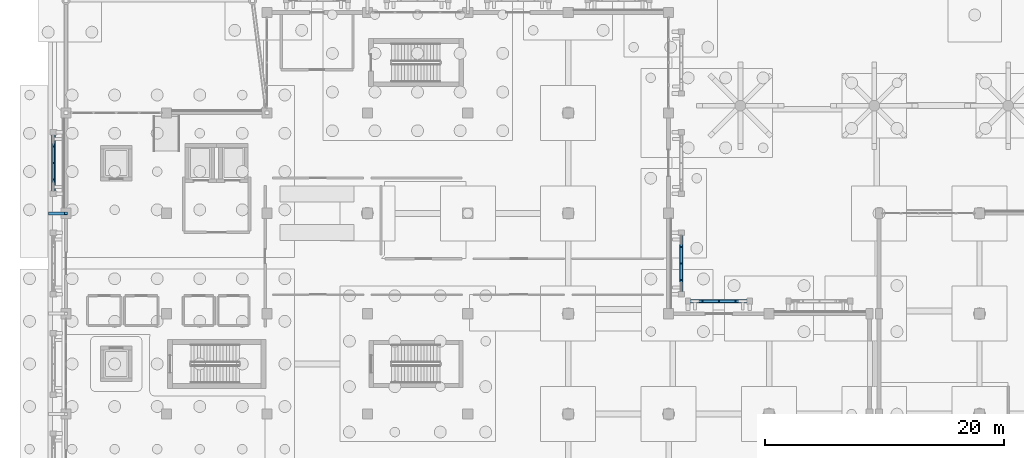
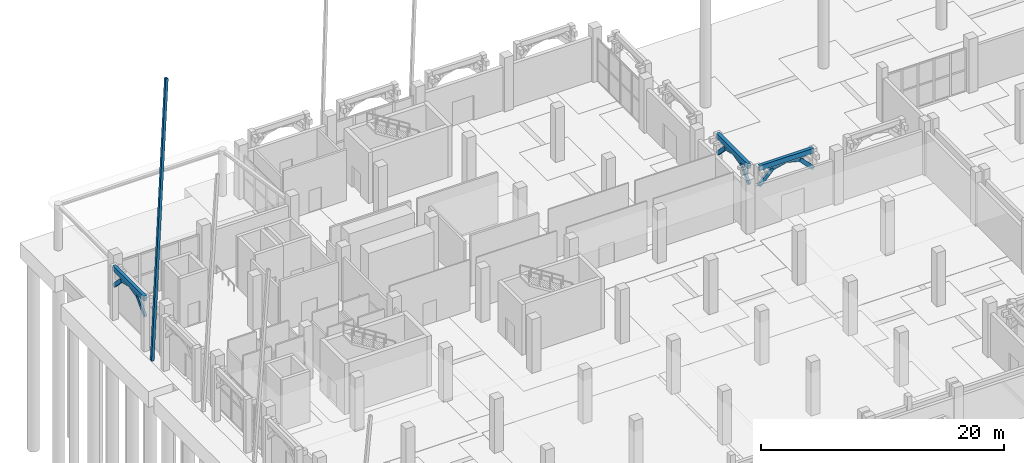
# One storey, part 30 of 98: 13 members, 3 beams.
"""IFC4 building model written with IfcOpenShell, lengths in metres."""

from ifc_helpers import new_model, si_unit, direction, frame, origin, origin_2d, place, context, subcontext, project, spatial, rectangle, hollow_rectangle, extrude, material, material_profile, profile_set, type_object, element, save


model = new_model("IFC4")

# Units and contexts
model_context = context("Model", 3, precision=1e-05, world=origin(), true_north=direction((0.0, 1.0)))
body_context = subcontext(model_context, "Body", "Model", "MODEL_VIEW")
ifc_project = project(units=[si_unit("LENGTHUNIT", "METRE"), si_unit("AREAUNIT", "SQUARE_METRE"), si_unit("VOLUMEUNIT", "CUBIC_METRE"), si_unit("PLANEANGLEUNIT", "RADIAN"), si_unit("MASSUNIT", "GRAM", prefix="KILO")], contexts=[model_context])

# Site, building, storey
site_placement = place(None, origin())
site = spatial("IfcSite", under=ifc_project, at=site_placement, CompositionType="ELEMENT")
building_placement = place(site_placement, origin())
building = spatial("IfcBuilding", under=site, at=building_placement, Name="Xazarin Passage Department Store", CompositionType="ELEMENT")
storey_placement = place(building_placement, origin())
storey = spatial("IfcBuildingStorey", under=building, at=storey_placement, Name="L00", CompositionType="ELEMENT", Elevation=0.0)

# Beams
ifc_material_1 = material(Name="Concrete C35/45", Category="concrete")
ifc_material_profile_1 = material_profile(ifc_material_1, rectangle(XDim=0.300048828125, YDim=0.5, at=origin_2d()), Name="RC 300x500")
ifc_profile_set_1 = profile_set([ifc_material_profile_1], Name="Concrete C35/45")
beam_type = type_object("IfcBeamType", Name="STR-BM-LN300x500", PredefinedType="LINTEL", material=ifc_profile_set_1)
for number, where, z_axis, x_axis, name in (
    (1, (52.02001953125, 85.85009765625, 5.14990234375), (1.0, 0.0, 0.0), (0.0, 1.0, 0.0), "L00 V1 Colonnade Spandrel Beam 005"),
    (2, (-1.050048828125, 94.820068359375, 5.14990234375), (0.0, 1.0, 0.0), (-1.0, 0.0, 0.0), "L00 V1 Colonnade Spandrel Beam 013"),
):
    element("IfcBeam", number, at=place(storey_placement, frame(where, z_axis=z_axis, x_axis=x_axis)), inside=storey, type_object=beam_type, Name=name, PredefinedType="LINTEL", context=body_context, shape_type="SweptSolid", body=[
        extrude(rectangle(XDim=0.300048828125, YDim=0.5, at=origin_2d()), origin(), (0.0, 0.0, 1.0), 5.159912109375),
    ])
beam_placement = place(storey_placement, frame((51.449951171875, 86.419921875, 5.14990234375), z_axis=(0.0, 1.0, 0.0), x_axis=(-1.0, 0.0, 0.0)))
element("IfcBeam", 3, at=beam_placement, inside=storey, type_object=beam_type, Name="L00 V1 Colonnade Spandrel Beam 014", PredefinedType="LINTEL", context=body_context, shape_type="SweptSolid", body=[
    extrude(rectangle(XDim=0.300048828125, YDim=0.5, at=origin_2d()), origin(), (0.0, 0.0, 1.0), 5.16015625),
])

# Members
ifc_material_2 = material(Name="Concrete C40/50", Category="concrete")
ifc_material_profile_2 = material_profile(ifc_material_2, rectangle(XDim=0.199951171875, YDim=0.360107421875, at=origin_2d()), Name="RC 200x360")
ifc_profile_set_2 = profile_set([ifc_material_profile_2], Name="Concrete C40/50")
member_type_1 = type_object("IfcMemberType", Name="STR-MEM-ARC360", PredefinedType="CHORD", material=ifc_profile_set_2)
member_1_placement = place(storey_placement, frame((52.02001953125, 85.85009765625, 3.330078125), z_axis=(0.693460080602, 0.0, 0.720495049679), x_axis=(0.0, 1.0, 0.0)))
element("IfcMember", 4, at=member_1_placement, inside=storey, type_object=member_type_1, Name="L00 V1 Pierced Lattice Curved Arch 005.1", PredefinedType="CHORD", context=body_context, shape_type="SweptSolid", body=[
    extrude(rectangle(XDim=0.199951171875, YDim=0.360107421875, at=origin_2d()), origin(), (0.0, 0.0, 1.0), 1.8603515625),
])
member_2_placement = place(storey_placement, frame((53.31005859375, 85.85009765625, 4.67041015625), z_axis=(0.972393983317, 0.0, 0.233345111818), x_axis=(0.0, 1.0, 0.0)))
element("IfcMember", 5, at=member_2_placement, inside=storey, type_object=member_type_1, Name="L00 V1 Pierced Lattice Curved Arch 005.2", PredefinedType="CHORD", context=body_context, shape_type="SweptSolid", body=[
    extrude(rectangle(XDim=0.199951171875, YDim=0.360107421875, at=origin_2d()), origin(), (0.0, 0.0, 1.0), 1.32666015625),
])
member_3_placement = place(storey_placement, frame((54.60009765625, 85.85009765625, 4.97998046875), z_axis=(0.972383960415, 0.0, -0.233386875224), x_axis=(0.0, 1.0, 0.0)))
element("IfcMember", 6, at=member_3_placement, inside=storey, type_object=member_type_1, Name="L00 V1 Pierced Lattice Curved Arch 005.3", PredefinedType="CHORD", context=body_context, shape_type="SweptSolid", body=[
    extrude(rectangle(XDim=0.199951171875, YDim=0.360107421875, at=origin_2d()), origin(), (0.0, 0.0, 1.0), 1.326416015625),
])
for number, where, z_axis, x_axis, name in (
    (7, (55.889892578125, 85.85009765625, 4.67041015625), (0.693460080602, 0.0, -0.720495049679), (0.0, 1.0, 0.0), "L00 V1 Pierced Lattice Curved Arch 005.4"),
    (8, (-1.050048828125, 94.820068359375, 3.330078125), (0.0, 0.693460080602, 0.720495049679), (-1.0, 0.0, 0.0), "L00 V1 Pierced Lattice Curved Arch 013.1"),
):
    element("IfcMember", number, at=place(storey_placement, frame(where, z_axis=z_axis, x_axis=x_axis)), inside=storey, type_object=member_type_1, Name=name, PredefinedType="CHORD", context=body_context, shape_type="SweptSolid", body=[
        extrude(rectangle(XDim=0.199951171875, YDim=0.360107421875, at=origin_2d()), origin(), (0.0, 0.0, 1.0), 1.8603515625),
    ])
member_4_placement = place(storey_placement, frame((-1.050048828125, 96.110107421875, 4.67041015625), z_axis=(0.0, 0.972383960415, 0.233386875224), x_axis=(-1.0, 0.0, 0.0)))
element("IfcMember", 9, at=member_4_placement, inside=storey, type_object=member_type_1, Name="L00 V1 Pierced Lattice Curved Arch 013.2", PredefinedType="CHORD", context=body_context, shape_type="SweptSolid", body=[
    extrude(rectangle(XDim=0.199951171875, YDim=0.360107421875, at=origin_2d()), origin(), (0.0, 0.0, 1.0), 1.326416015625),
])
member_5_placement = place(storey_placement, frame((-1.050048828125, 97.39990234375, 4.97998046875), z_axis=(0.0, 0.972393983317, -0.233345111818), x_axis=(-1.0, 0.0, 0.0)))
element("IfcMember", 10, at=member_5_placement, inside=storey, type_object=member_type_1, Name="L00 V1 Pierced Lattice Curved Arch 013.3", PredefinedType="CHORD", context=body_context, shape_type="SweptSolid", body=[
    extrude(rectangle(XDim=0.199951171875, YDim=0.360107421875, at=origin_2d()), origin(), (0.0, 0.0, 1.0), 1.32666015625),
])
for number, where, z_axis, x_axis, name in (
    (11, (-1.050048828125, 98.68994140625, 4.67041015625), (0.0, 0.693460080602, -0.720495049679), (-1.0, 0.0, 0.0), "L00 V1 Pierced Lattice Curved Arch 013.4"),
    (12, (51.449951171875, 86.419921875, 3.330078125), (0.0, 0.693460080602, 0.720495049679), (-1.0, 0.0, 0.0), "L00 V1 Pierced Lattice Curved Arch 014.1"),
):
    element("IfcMember", number, at=place(storey_placement, frame(where, z_axis=z_axis, x_axis=x_axis)), inside=storey, type_object=member_type_1, Name=name, PredefinedType="CHORD", context=body_context, shape_type="SweptSolid", body=[
        extrude(rectangle(XDim=0.199951171875, YDim=0.360107421875, at=origin_2d()), origin(), (0.0, 0.0, 1.0), 1.8603515625),
    ])
for number, where, z_axis, x_axis, name in (
    (13, (51.449951171875, 87.7099609375, 4.67041015625), (0.0, 0.972393983317, 0.233345111818), (-1.0, 0.0, 0.0), "L00 V1 Pierced Lattice Curved Arch 014.2"),
    (14, (51.449951171875, 89.0, 4.97998046875), (0.0, 0.972393983317, -0.233345111818), (-1.0, 0.0, 0.0), "L00 V1 Pierced Lattice Curved Arch 014.3"),
):
    element("IfcMember", number, at=place(storey_placement, frame(where, z_axis=z_axis, x_axis=x_axis)), inside=storey, type_object=member_type_1, Name=name, PredefinedType="CHORD", context=body_context, shape_type="SweptSolid", body=[
        extrude(rectangle(XDim=0.199951171875, YDim=0.360107421875, at=origin_2d()), origin(), (0.0, 0.0, 1.0), 1.32666015625),
    ])
member_6_placement = place(storey_placement, frame((51.449951171875, 90.2900390625, 4.67041015625), z_axis=(0.0, 0.693460080602, -0.720495049679), x_axis=(-1.0, 0.0, 0.0)))
element("IfcMember", 15, at=member_6_placement, inside=storey, type_object=member_type_1, Name="L00 V1 Pierced Lattice Curved Arch 014.4", PredefinedType="CHORD", context=body_context, shape_type="SweptSolid", body=[
    extrude(rectangle(XDim=0.199951171875, YDim=0.360107421875, at=origin_2d()), origin(), (0.0, 0.0, 1.0), 1.8603515625),
])
ifc_material_3 = material(Name="Steel S355", Category="steel")
ifc_material_profile_3 = material_profile(ifc_material_3, hollow_rectangle(XDim=0.25, YDim=0.25, WallThickness=0.012451171875, at=origin_2d()), Name="SHS 250x250x12.5")
ifc_profile_set_3 = profile_set([ifc_material_profile_3], Name="Steel S355")
member_type_2 = type_object("IfcMemberType", Name="STR-MEM-SHS250", PredefinedType="BRACE", material=ifc_profile_set_3)
member_7_placement = place(storey_placement, frame((-1.35009765625, 93.199951171875, 0.030029296875), z_axis=(0.048386165569, 0.0, 0.998828703523), x_axis=(0.0, 1.0, 0.0)))
element("IfcMember", 16, at=member_7_placement, inside=storey, type_object=member_type_2, Name="Sculpted Raked Concrete Buttress BUT-V1-W4", PredefinedType="BRACE", context=body_context, shape_type="SweptSolid", body=[
    extrude(hollow_rectangle(XDim=0.25, YDim=0.25, WallThickness=0.012451171875, at=origin_2d()), origin(), (0.0, 0.0, 1.0), 27.902587890625),
])

save(model, "model.ifc")
